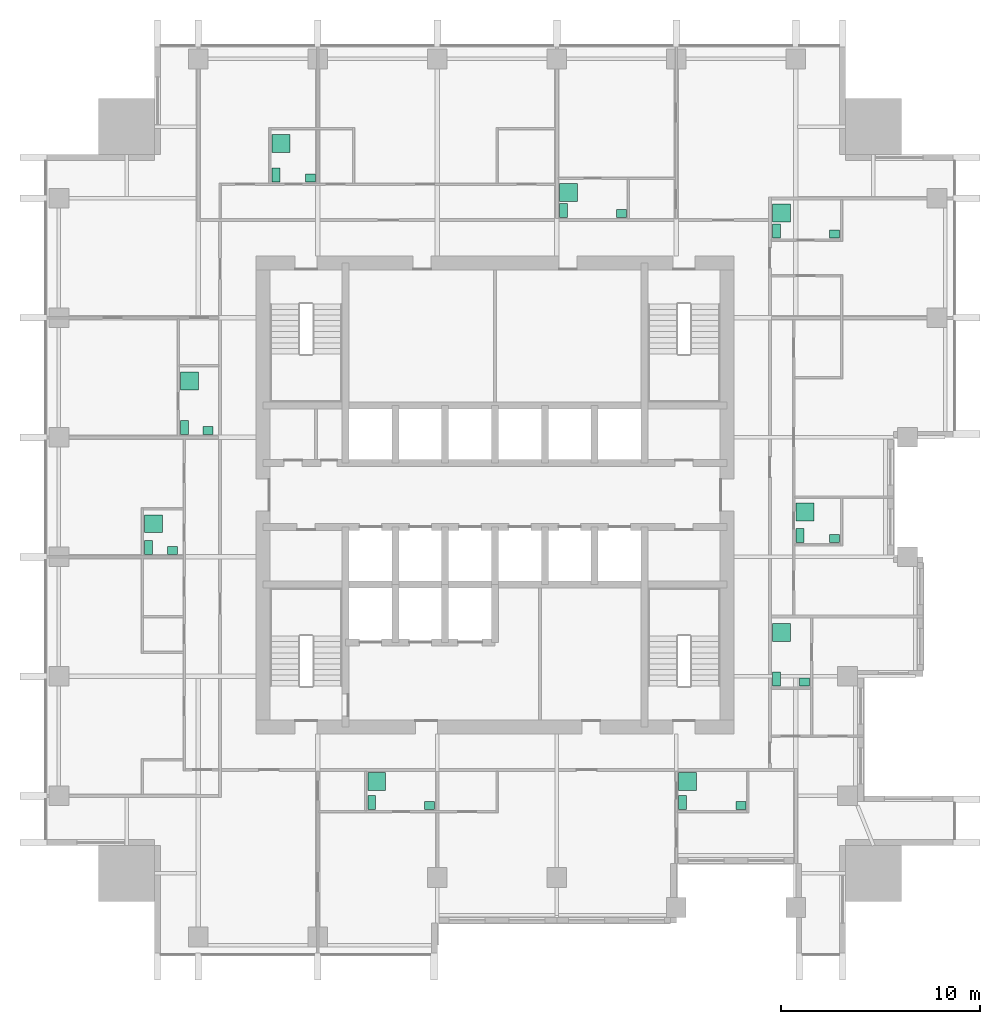
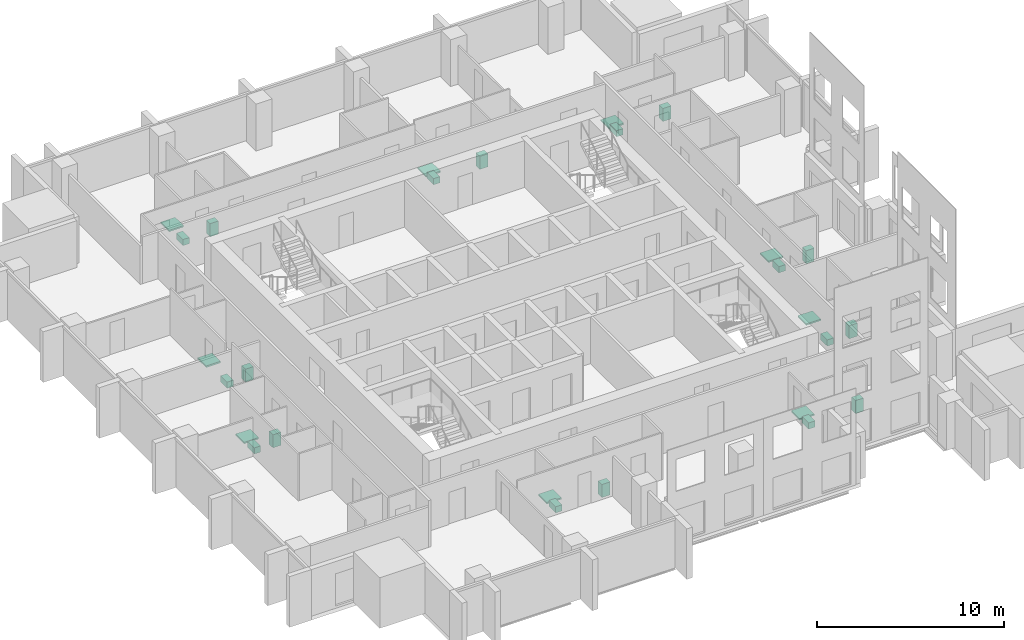
# One storey, part 11 of 11: 27 sanitary terminals.
"""IFC4 building model written with IfcOpenShell, lengths in metres."""

from ifc_helpers import new_model, si_unit, direction, frame, origin, origin_2d, place, context, subcontext, project, spatial, rectangle, extrude, element, save


model = new_model("IFC4")

# Units and contexts
model_context = context("Model", 3, precision=1e-05, world=origin(), true_north=direction((0.0, 1.0)))
body_context = subcontext(model_context, "Body", "Model", "MODEL_VIEW")
ifc_project = project(units=[si_unit("LENGTHUNIT", "METRE"), si_unit("AREAUNIT", "SQUARE_METRE"), si_unit("VOLUMEUNIT", "CUBIC_METRE"), si_unit("PLANEANGLEUNIT", "RADIAN"), si_unit("MASSUNIT", "GRAM", prefix="KILO")], contexts=[model_context])

# Site, building, storey
site_placement = place(None, origin())
site = spatial("IfcSite", under=ifc_project, at=site_placement, CompositionType="ELEMENT")
building_placement = place(site_placement, origin())
building = spatial("IfcBuilding", under=site, at=building_placement, Name="Amberfall Residences", CompositionType="ELEMENT")
storey_placement = place(building_placement, frame((0.0, 0.0, 143.800048828125)))
storey = spatial("IfcBuildingStorey", under=building, at=storey_placement, Name="L38", CompositionType="ELEMENT", Elevation=143.800048828125)

# Sanitary terminals
sanitary_terminal_1_placement = place(storey_placement, frame((68.31005859375, 30.06005859375, 0.0), z_axis=(0.0, 0.0, 1.0), x_axis=(1.0, 0.0, 0.0)))
element("IfcSanitaryTerminal", 1, at=sanitary_terminal_1_placement, inside=storey, Name="Water closet 3801", PredefinedType="TOILETPAN", context=body_context, shape_type="SweptSolid", body=[
    extrude(rectangle(XDim=0.39990234375, YDim=0.699951171875, at=origin_2d()), origin(), (0.0, 0.0, 1.0), 0.39990234375),
])
sanitary_terminal_2_placement = place(storey_placement, frame((71.215087890625, 29.909912109375, 0.0), z_axis=(0.0, 0.0, 1.0), x_axis=(1.0, 0.0, 0.0)))
element("IfcSanitaryTerminal", 2, at=sanitary_terminal_2_placement, inside=storey, Name="Basin 3801", PredefinedType="WASHHANDBASIN", context=body_context, shape_type="SweptSolid", body=[
    extrude(rectangle(XDim=0.5, YDim=0.39990234375, at=origin_2d()), origin(), (0.0, 0.0, 1.0), 0.85009765625),
])
sanitary_terminal_3_placement = place(storey_placement, frame((68.56005859375, 31.114990234375, 0.0), z_axis=(0.0, 0.0, 1.0), x_axis=(1.0, 0.0, 0.0)))
element("IfcSanitaryTerminal", 3, at=sanitary_terminal_3_placement, inside=storey, Name="Shower tray 3801", PredefinedType="SHOWER", context=body_context, shape_type="SweptSolid", body=[
    extrude(rectangle(XDim=0.89990234375, YDim=0.89990234375, at=origin_2d()), origin(), (0.0, 0.0, 1.0), 0.10009765625),
])
sanitary_terminal_4_placement = place(storey_placement, frame((83.909912109375, 30.06005859375, 0.0), z_axis=(0.0, 0.0, 1.0), x_axis=(1.0, 0.0, 0.0)))
element("IfcSanitaryTerminal", 4, at=sanitary_terminal_4_placement, inside=storey, Name="Water closet 3802", PredefinedType="TOILETPAN", context=body_context, shape_type="SweptSolid", body=[
    extrude(rectangle(XDim=0.39990234375, YDim=0.699951171875, at=origin_2d()), origin(), (0.0, 0.0, 1.0), 0.39990234375),
])
sanitary_terminal_5_placement = place(storey_placement, frame((86.840087890625, 29.909912109375, 0.0), z_axis=(0.0, 0.0, 1.0), x_axis=(1.0, 0.0, 0.0)))
element("IfcSanitaryTerminal", 5, at=sanitary_terminal_5_placement, inside=storey, Name="Basin 3802", PredefinedType="WASHHANDBASIN", context=body_context, shape_type="SweptSolid", body=[
    extrude(rectangle(XDim=0.5, YDim=0.39990234375, at=origin_2d()), origin(), (0.0, 0.0, 1.0), 0.85009765625),
])
sanitary_terminal_6_placement = place(storey_placement, frame((84.159912109375, 31.114990234375, 0.0), z_axis=(0.0, 0.0, 1.0), x_axis=(1.0, 0.0, 0.0)))
element("IfcSanitaryTerminal", 6, at=sanitary_terminal_6_placement, inside=storey, Name="Shower tray 3802", PredefinedType="SHOWER", context=body_context, shape_type="SweptSolid", body=[
    extrude(rectangle(XDim=0.89990234375, YDim=0.89990234375, at=origin_2d()), origin(), (0.0, 0.0, 1.0), 0.10009765625),
])
sanitary_terminal_7_placement = place(storey_placement, frame((88.635009765625, 36.260009765625, 0.0), z_axis=(0.0, 0.0, 1.0), x_axis=(1.0, 0.0, 0.0)))
element("IfcSanitaryTerminal", 7, at=sanitary_terminal_7_placement, inside=storey, Name="Water closet 3803", PredefinedType="TOILETPAN", context=body_context, shape_type="SweptSolid", body=[
    extrude(rectangle(XDim=0.39990234375, YDim=0.699951171875, at=origin_2d()), origin(), (0.0, 0.0, 1.0), 0.39990234375),
])
sanitary_terminal_8_placement = place(storey_placement, frame((90.0400390625, 36.110107421875, 0.0), z_axis=(0.0, 0.0, 1.0), x_axis=(1.0, 0.0, 0.0)))
element("IfcSanitaryTerminal", 8, at=sanitary_terminal_8_placement, inside=storey, Name="Basin 3803", PredefinedType="WASHHANDBASIN", context=body_context, shape_type="SweptSolid", body=[
    extrude(rectangle(XDim=0.5, YDim=0.39990234375, at=origin_2d()), origin(), (0.0, 0.0, 1.0), 0.85009765625),
])
sanitary_terminal_9_placement = place(storey_placement, frame((88.885009765625, 38.591796875, 0.0), z_axis=(0.0, 0.0, 1.0), x_axis=(1.0, 0.0, 0.0)))
element("IfcSanitaryTerminal", 9, at=sanitary_terminal_9_placement, inside=storey, Name="Shower tray 3803", PredefinedType="SHOWER", context=body_context, shape_type="SweptSolid", body=[
    extrude(rectangle(XDim=0.89990234375, YDim=0.89990234375, at=origin_2d()), origin(), (0.0, 0.0, 1.0), 0.10009765625),
])
sanitary_terminal_10_placement = place(storey_placement, frame((89.81005859375, 43.4599609375, 0.0), z_axis=(0.0, 0.0, 1.0), x_axis=(1.0, 0.0, 0.0)))
element("IfcSanitaryTerminal", 10, at=sanitary_terminal_10_placement, inside=storey, Name="Water closet 3804", PredefinedType="TOILETPAN", context=body_context, shape_type="SweptSolid", body=[
    extrude(rectangle(XDim=0.39990234375, YDim=0.699951171875, at=origin_2d()), origin(), (0.0, 0.0, 1.0), 0.39990234375),
])
sanitary_terminal_11_placement = place(storey_placement, frame((91.5400390625, 43.31005859375, 0.0), z_axis=(0.0, 0.0, 1.0), x_axis=(1.0, 0.0, 0.0)))
element("IfcSanitaryTerminal", 11, at=sanitary_terminal_11_placement, inside=storey, Name="Basin 3804", PredefinedType="WASHHANDBASIN", context=body_context, shape_type="SweptSolid", body=[
    extrude(rectangle(XDim=0.5, YDim=0.39990234375, at=origin_2d()), origin(), (0.0, 0.0, 1.0), 0.85009765625),
])
sanitary_terminal_12_placement = place(storey_placement, frame((90.06005859375, 44.6572265625, 0.0), z_axis=(0.0, 0.0, 1.0), x_axis=(1.0, 0.0, 0.0)))
element("IfcSanitaryTerminal", 12, at=sanitary_terminal_12_placement, inside=storey, Name="Shower tray 3804", PredefinedType="SHOWER", context=body_context, shape_type="SweptSolid", body=[
    extrude(rectangle(XDim=0.89990234375, YDim=0.89990234375, at=origin_2d()), origin(), (0.0, 0.0, 1.0), 0.10009765625),
])
sanitary_terminal_13_placement = place(storey_placement, frame((88.635009765625, 58.760009765625, 0.0), z_axis=(0.0, 0.0, 1.0), x_axis=(1.0, 0.0, 0.0)))
element("IfcSanitaryTerminal", 13, at=sanitary_terminal_13_placement, inside=storey, Name="Water closet 3805", PredefinedType="TOILETPAN", context=body_context, shape_type="SweptSolid", body=[
    extrude(rectangle(XDim=0.39990234375, YDim=0.699951171875, at=origin_2d()), origin(), (0.0, 0.0, 1.0), 0.39990234375),
])
sanitary_terminal_14_placement = place(storey_placement, frame((91.5400390625, 58.610107421875, 0.0), z_axis=(0.0, 0.0, 1.0), x_axis=(1.0, 0.0, 0.0)))
element("IfcSanitaryTerminal", 14, at=sanitary_terminal_14_placement, inside=storey, Name="Basin 3805", PredefinedType="WASHHANDBASIN", context=body_context, shape_type="SweptSolid", body=[
    extrude(rectangle(XDim=0.5, YDim=0.39990234375, at=origin_2d()), origin(), (0.0, 0.0, 1.0), 0.85009765625),
])
sanitary_terminal_15_placement = place(storey_placement, frame((88.885009765625, 59.65576171875, 0.0), z_axis=(0.0, 0.0, 1.0), x_axis=(1.0, 0.0, 0.0)))
element("IfcSanitaryTerminal", 15, at=sanitary_terminal_15_placement, inside=storey, Name="Shower tray 3805", PredefinedType="SHOWER", context=body_context, shape_type="SweptSolid", body=[
    extrude(rectangle(XDim=0.89990234375, YDim=0.89990234375, at=origin_2d()), origin(), (0.0, 0.0, 1.0), 0.10009765625),
])
sanitary_terminal_16_placement = place(storey_placement, frame((63.510009765625, 61.56005859375, 0.0), z_axis=(0.0, 0.0, 1.0), x_axis=(1.0, 0.0, 0.0)))
element("IfcSanitaryTerminal", 16, at=sanitary_terminal_16_placement, inside=storey, Name="Water closet 3806", PredefinedType="TOILETPAN", context=body_context, shape_type="SweptSolid", body=[
    extrude(rectangle(XDim=0.39990234375, YDim=0.699951171875, at=origin_2d()), origin(), (0.0, 0.0, 1.0), 0.39990234375),
])
sanitary_terminal_17_placement = place(storey_placement, frame((65.239990234375, 61.409912109375, 0.0), z_axis=(0.0, 0.0, 1.0), x_axis=(1.0, 0.0, 0.0)))
element("IfcSanitaryTerminal", 17, at=sanitary_terminal_17_placement, inside=storey, Name="Basin 3806", PredefinedType="WASHHANDBASIN", context=body_context, shape_type="SweptSolid", body=[
    extrude(rectangle(XDim=0.5, YDim=0.39990234375, at=origin_2d()), origin(), (0.0, 0.0, 1.0), 0.85009765625),
])
sanitary_terminal_18_placement = place(storey_placement, frame((63.760009765625, 63.1533203125, 0.0), z_axis=(0.0, 0.0, 1.0), x_axis=(1.0, 0.0, 0.0)))
element("IfcSanitaryTerminal", 18, at=sanitary_terminal_18_placement, inside=storey, Name="Shower tray 3806", PredefinedType="SHOWER", context=body_context, shape_type="SweptSolid", body=[
    extrude(rectangle(XDim=0.89990234375, YDim=0.89990234375, at=origin_2d()), origin(), (0.0, 0.0, 1.0), 0.10009765625),
])
sanitary_terminal_19_placement = place(storey_placement, frame((77.93505859375, 59.784912109375, 0.0), z_axis=(0.0, 0.0, 1.0), x_axis=(1.0, 0.0, 0.0)))
element("IfcSanitaryTerminal", 19, at=sanitary_terminal_19_placement, inside=storey, Name="Water closet 3807", PredefinedType="TOILETPAN", context=body_context, shape_type="SweptSolid", body=[
    extrude(rectangle(XDim=0.39990234375, YDim=0.699951171875, at=origin_2d()), origin(), (0.0, 0.0, 1.0), 0.39990234375),
])
sanitary_terminal_20_placement = place(storey_placement, frame((80.840087890625, 59.635009765625, 0.0), z_axis=(0.0, 0.0, 1.0), x_axis=(1.0, 0.0, 0.0)))
element("IfcSanitaryTerminal", 20, at=sanitary_terminal_20_placement, inside=storey, Name="Basin 3807", PredefinedType="WASHHANDBASIN", context=body_context, shape_type="SweptSolid", body=[
    extrude(rectangle(XDim=0.5, YDim=0.39990234375, at=origin_2d()), origin(), (0.0, 0.0, 1.0), 0.85009765625),
])
sanitary_terminal_21_placement = place(storey_placement, frame((78.18505859375, 60.680908203125, 0.0), z_axis=(0.0, 0.0, 1.0), x_axis=(1.0, 0.0, 0.0)))
element("IfcSanitaryTerminal", 21, at=sanitary_terminal_21_placement, inside=storey, Name="Shower tray 3807", PredefinedType="SHOWER", context=body_context, shape_type="SweptSolid", body=[
    extrude(rectangle(XDim=0.89990234375, YDim=0.89990234375, at=origin_2d()), origin(), (0.0, 0.0, 1.0), 0.10009765625),
])
sanitary_terminal_22_placement = place(storey_placement, frame((57.110107421875, 42.860107421875, 0.0), z_axis=(0.0, 0.0, 1.0), x_axis=(1.0, 0.0, 0.0)))
element("IfcSanitaryTerminal", 22, at=sanitary_terminal_22_placement, inside=storey, Name="Water closet 3808", PredefinedType="TOILETPAN", context=body_context, shape_type="SweptSolid", body=[
    extrude(rectangle(XDim=0.39990234375, YDim=0.699951171875, at=origin_2d()), origin(), (0.0, 0.0, 1.0), 0.39990234375),
])
sanitary_terminal_23_placement = place(storey_placement, frame((58.31005859375, 42.7099609375, 0.0), z_axis=(0.0, 0.0, 1.0), x_axis=(1.0, 0.0, 0.0)))
element("IfcSanitaryTerminal", 23, at=sanitary_terminal_23_placement, inside=storey, Name="Basin 3808", PredefinedType="WASHHANDBASIN", context=body_context, shape_type="SweptSolid", body=[
    extrude(rectangle(XDim=0.5, YDim=0.39990234375, at=origin_2d()), origin(), (0.0, 0.0, 1.0), 0.85009765625),
])
sanitary_terminal_24_placement = place(storey_placement, frame((57.360107421875, 44.05712890625, 0.0), z_axis=(0.0, 0.0, 1.0), x_axis=(1.0, 0.0, 0.0)))
element("IfcSanitaryTerminal", 24, at=sanitary_terminal_24_placement, inside=storey, Name="Shower tray 3808", PredefinedType="SHOWER", context=body_context, shape_type="SweptSolid", body=[
    extrude(rectangle(XDim=0.89990234375, YDim=0.89990234375, at=origin_2d()), origin(), (0.0, 0.0, 1.0), 0.10009765625),
])
sanitary_terminal_25_placement = place(storey_placement, frame((58.909912109375, 48.885009765625, 0.0), z_axis=(0.0, 0.0, 1.0), x_axis=(1.0, 0.0, 0.0)))
element("IfcSanitaryTerminal", 25, at=sanitary_terminal_25_placement, inside=storey, Name="Water closet 3809", PredefinedType="TOILETPAN", context=body_context, shape_type="SweptSolid", body=[
    extrude(rectangle(XDim=0.39990234375, YDim=0.699951171875, at=origin_2d()), origin(), (0.0, 0.0, 1.0), 0.39990234375),
])
sanitary_terminal_26_placement = place(storey_placement, frame((60.089111328125, 48.735107421875, 0.0), z_axis=(0.0, 0.0, 1.0), x_axis=(1.0, 0.0, 0.0)))
element("IfcSanitaryTerminal", 26, at=sanitary_terminal_26_placement, inside=storey, Name="Basin 3809", PredefinedType="WASHHANDBASIN", context=body_context, shape_type="SweptSolid", body=[
    extrude(rectangle(XDim=0.5, YDim=0.39990234375, at=origin_2d()), origin(), (0.0, 0.0, 1.0), 0.85009765625),
])
sanitary_terminal_27_placement = place(storey_placement, frame((59.159912109375, 51.216796875, 0.0), z_axis=(0.0, 0.0, 1.0), x_axis=(1.0, 0.0, 0.0)))
element("IfcSanitaryTerminal", 27, at=sanitary_terminal_27_placement, inside=storey, Name="Shower tray 3809", PredefinedType="SHOWER", context=body_context, shape_type="SweptSolid", body=[
    extrude(rectangle(XDim=0.89990234375, YDim=0.89990234375, at=origin_2d()), origin(), (0.0, 0.0, 1.0), 0.10009765625),
])

save(model, "model.ifc")
